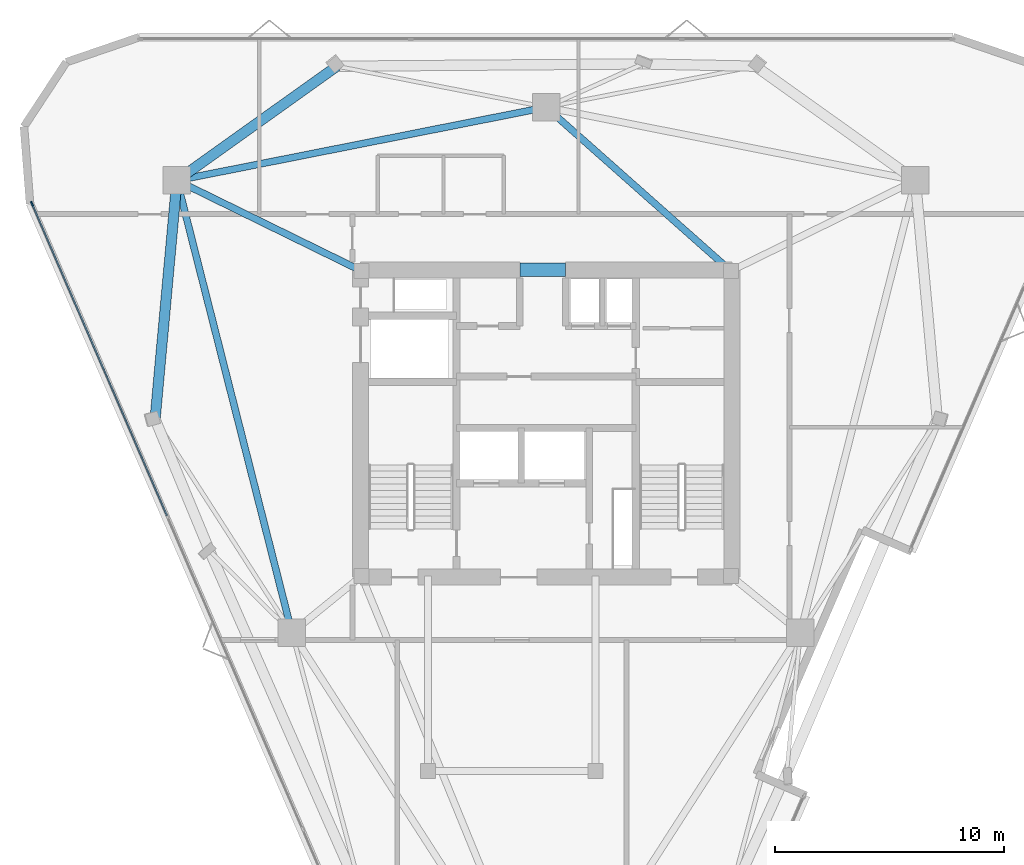
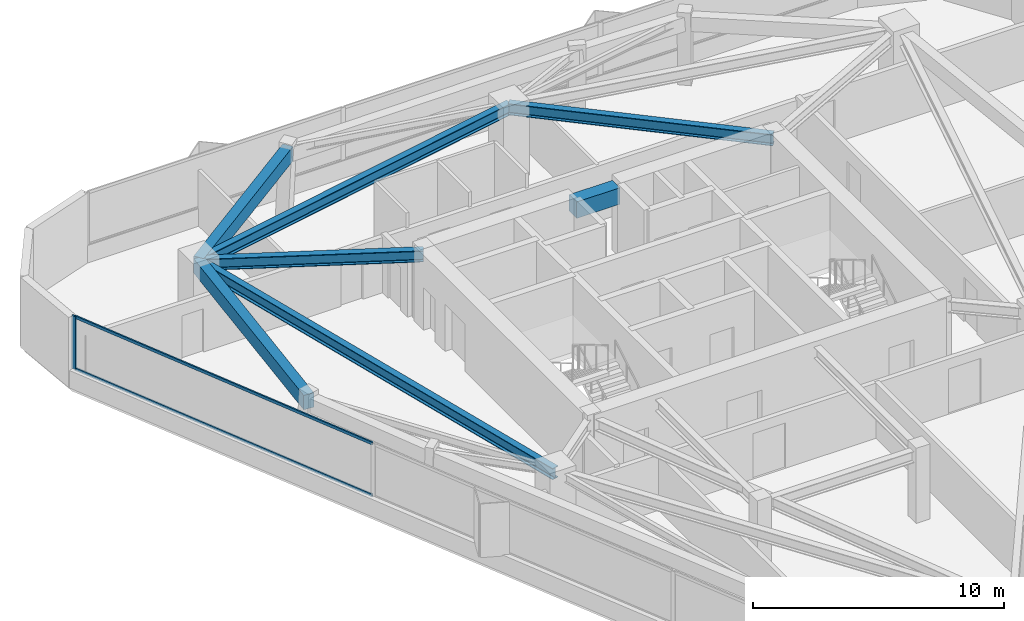
# One storey, part 4 of 10: 7 beams, 3 members, 1 element without a shape of its own.
"""IFC4 building model written with IfcOpenShell, lengths in metres."""

import ifcopenshell
import ifcopenshell.guid

model = None  # the IFC model being written
_history = None  # IfcOwnerHistory: only IFC2X3 demands one
_inside = {}  # id of a spatial element -> (the spatial element, [elements in it])
_under = {}  # id of a project, library or spatial element -> (it, [spatial elements below it])
_declared = {}  # id of a project -> (the project, [libraries it declares])
_typed = {}  # id of a type object -> (the type object, [elements of that type])
_made_of = {}  # id of a material, layer set ... -> (it, [elements and type objects made of it])


def new_model(schema):
    """Start an empty IFC model of exactly this schema.

    Asked for "IFC4X3", IfcOpenShell would pick the latest addendum, in which some entities
    have other attributes; the version numbers below select the first issue.
    IFC2X3 requires an IfcOwnerHistory on every rooted entity: one is made here for all.
    """
    global model, _history
    if schema == "IFC4X3":
        model = ifcopenshell.file(schema_version=(4, 3, 0, 0))
    else:
        model = ifcopenshell.file(schema=schema)
    _inside.clear()
    _under.clear()
    _declared.clear()
    _typed.clear()
    _made_of.clear()
    _history = None
    if model.schema == "IFC2X3":
        org = make("IfcOrganization", Name="unknown")
        user = make(
            "IfcPersonAndOrganization",
            ThePerson=make("IfcPerson", FamilyName="unknown"),
            TheOrganization=org,
        )
        app = make(
            "IfcApplication",
            ApplicationDeveloper=org,
            Version="unknown",
            ApplicationFullName="unknown",
            ApplicationIdentifier="unknown",
        )
        _history = make(
            "IfcOwnerHistory",
            OwningUser=user,
            OwningApplication=app,
            ChangeAction="ADDED",
            CreationDate=0,
        )
    return model


def make(cls, **values):
    """One entity of the class cls with the attributes given. An attribute that is None is left unset."""
    return model.create_entity(
        cls, **{name: value for name, value in values.items() if value is not None}
    )


def rooted(cls, **values):
    """An entity with a GlobalId (a new one), such as an element, a storey or a relation."""
    return make(cls, GlobalId=ifcopenshell.guid.new(), OwnerHistory=_history, **values)


def si_unit(unit_type, name, prefix=None):
    """IfcSIUnit, for example si_unit("LENGTHUNIT", "METRE", prefix="MILLI")."""
    return make("IfcSIUnit", UnitType=unit_type, Prefix=prefix, Name=name)


def assignment(units):
    """IfcUnitAssignment: the units of a project."""
    return None if units is None else make("IfcUnitAssignment", Units=units)


def point(xyz):
    """IfcCartesianPoint."""
    return None if xyz is None else make("IfcCartesianPoint", Coordinates=xyz)


def direction(xyz):
    """IfcDirection."""
    return None if xyz is None else make("IfcDirection", DirectionRatios=xyz)


def frame(location, z_axis=None, x_axis=None):
    """IfcAxis2Placement3D, a coordinate frame: its origin and axes. An axis left out is left unset."""
    return make(
        "IfcAxis2Placement3D",
        Location=point(location),
        Axis=direction(z_axis),
        RefDirection=direction(x_axis),
    )


def frame_2d(location, x_axis=None):
    """IfcAxis2Placement2D, a coordinate frame in the plane: its origin and x axis."""
    return make(
        "IfcAxis2Placement2D", Location=point(location), RefDirection=direction(x_axis)
    )


def origin():
    """The frame at (0, 0, 0) with its axes left unset."""
    return frame((0.0, 0.0, 0.0))


def origin_2d():
    """The frame at (0, 0) in the plane with its x axis left unset."""
    return frame_2d((0.0, 0.0))


def place(relative_to, where):
    """IfcLocalPlacement: puts the frame where relative to a parent placement (None: the world)."""
    return make(
        "IfcLocalPlacement", PlacementRelTo=relative_to, RelativePlacement=where
    )


def context(
    kind, dimensions, precision=None, world=None, true_north=None, identifier=None
):
    """IfcGeometricRepresentationContext, for example the 3D "Model" context."""
    return make(
        "IfcGeometricRepresentationContext",
        ContextIdentifier=identifier,
        ContextType=kind,
        CoordinateSpaceDimension=dimensions,
        Precision=precision,
        WorldCoordinateSystem=world,
        TrueNorth=true_north,
    )


def subcontext(parent, identifier, kind, view, scale=None):
    """IfcGeometricRepresentationSubContext, for example "Body" below "Model"."""
    return make(
        "IfcGeometricRepresentationSubContext",
        ContextIdentifier=identifier,
        ContextType=kind,
        ParentContext=parent,
        TargetScale=scale,
        TargetView=view,
    )


def project(units=None, contexts=None):
    """IfcProject with its units and contexts."""
    return rooted(
        "IfcProject",
        Name="project",
        RepresentationContexts=contexts,
        UnitsInContext=assignment(units),
    )


def spatial(cls, under=None, at=None, **own):
    """A site, building, storey or space (cls), placed at a placement, below another one or the project."""
    s = rooted(cls, ObjectPlacement=at, **own)
    if under is not None:
        _under.setdefault(under.id(), (under, []))[1].append(s)
    return s


def profile(cls, at=None, kind="AREA", **sizes):
    """A parametric profile (cls). Its sizes go by their IFC names, for example OverallWidth=200.0."""
    return make(cls, ProfileType=kind, Position=at, **sizes)


def rectangle(**sizes):
    """IfcRectangleProfileDef."""
    return profile("IfcRectangleProfileDef", **sizes)


def i_section(**sizes):
    """IfcIShapeProfileDef."""
    return profile("IfcIShapeProfileDef", **sizes)


def extrude(swept, where, along, depth):
    """IfcExtrudedAreaSolid: the profile swept, set in the frame where, extruded along a direction by depth."""
    return make(
        "IfcExtrudedAreaSolid",
        SweptArea=swept,
        Position=where,
        ExtrudedDirection=direction(along),
        Depth=depth,
    )


def shape(context_of_items, identifier, shape_type, items):
    """IfcShapeRepresentation: the items that make up one representation, for example the "Body"."""
    return make(
        "IfcShapeRepresentation",
        ContextOfItems=context_of_items,
        RepresentationIdentifier=identifier,
        RepresentationType=shape_type,
        Items=items,
    )


def material(Name=None, Category=None):
    """IfcMaterial."""
    return make("IfcMaterial", Name=Name, Category=Category)


def layer(
    of_material, thickness, ventilated=None, Name=None, Category=None, Priority=None
):
    """IfcMaterialLayer: one layer of a wall or slab, of a material (None: an air gap)."""
    return make(
        "IfcMaterialLayer",
        Material=of_material,
        LayerThickness=thickness,
        IsVentilated=ventilated,
        Name=Name,
        Category=Category,
        Priority=Priority,
    )


def layer_set(layers, Name=None):
    """IfcMaterialLayerSet."""
    return make("IfcMaterialLayerSet", MaterialLayers=layers, LayerSetName=Name)


def material_profile(
    of_material, cross_section, Name=None, Category=None, Priority=None
):
    """IfcMaterialProfile: a cross section and its material."""
    return make(
        "IfcMaterialProfile",
        Name=Name,
        Material=of_material,
        Profile=cross_section,
        Priority=Priority,
        Category=Category,
    )


def profile_set(profiles, Name=None, composite=None):
    """IfcMaterialProfileSet."""
    return make(
        "IfcMaterialProfileSet",
        Name=Name,
        MaterialProfiles=profiles,
        CompositeProfile=composite,
    )


def made_of(thing, what):
    """Note that an element or type object is made of a material, layer set ...; save() writes the relation."""
    if what is not None:
        _made_of.setdefault(what.id(), (what, []))[1].append(thing)
    return thing


def type_object(cls, material=None, **own):
    """A type object (cls), such as IfcWallType, which elements share."""
    return made_of(rooted(cls, **own), material)


def element(
    cls,
    number,
    at=None,
    inside=None,
    cuts=None,
    type_object=None,
    material=None,
    context=None,
    identifier="Body",
    shape_type=None,
    held_by="IfcProductDefinitionShape",
    body=None,
    shapes=None,
    **own,
):
    """One element of the class cls, such as IfcWall. Its Tag is "e" and its number.

    at: its placement. inside: the storey or other place that contains it. cuts: it is an
    opening in that element (IfcRelVoidsElement). A single representation is given by context,
    identifier, shape_type and body (its items); several are given by shapes. held_by: the class
    of the entity that holds the representations. save() writes the other relations.
    """
    e = rooted(cls, Tag="e%d" % number, ObjectPlacement=at, **own)
    if body is not None:
        shapes = [shape(context, identifier, shape_type, body)]
    if shapes is not None:
        e.Representation = make(held_by, Representations=shapes)
    if inside is not None:
        _inside.setdefault(inside.id(), (inside, []))[1].append(e)
    if cuts is not None:
        rooted(
            "IfcRelVoidsElement", RelatingBuildingElement=cuts, RelatedOpeningElement=e
        )
    if type_object is not None:
        _typed.setdefault(type_object.id(), (type_object, []))[1].append(e)
    return made_of(e, material)


def aggregate(whole, parts):
    """IfcRelAggregates: a whole, such as a stair, and the parts it consists of."""
    return rooted("IfcRelAggregates", RelatingObject=whole, RelatedObjects=parts)


def save(model, path):
    """Write the relations noted so far, then the file.

    IfcRelAggregates (storeys below a building ...), IfcRelContainedInSpatialStructure (elements
    in a storey), IfcRelDefinesByType, IfcRelAssociatesMaterial and IfcRelDeclares: one each for
    every whole, place, type object, material and project.
    """
    for whole, parts in _under.values():
        aggregate(whole, parts)
    for where, things in _inside.values():
        rooted(
            "IfcRelContainedInSpatialStructure",
            RelatedElements=things,
            RelatingStructure=where,
        )
    for kind, things in _typed.values():
        rooted("IfcRelDefinesByType", RelatedObjects=things, RelatingType=kind)
    for what, things in _made_of.values():
        rooted("IfcRelAssociatesMaterial", RelatedObjects=things, RelatingMaterial=what)
    for by, libraries in _declared.values():
        rooted("IfcRelDeclares", RelatingContext=by, RelatedDefinitions=libraries)
    model.write(path)


model = new_model("IFC4")

# Units and contexts
model_context = context("Model", 3, precision=1e-05, world=origin(), true_north=direction((0.0, 1.0)))
body_context = subcontext(model_context, "Body", "Model", "MODEL_VIEW")
ifc_project = project(units=[si_unit("LENGTHUNIT", "METRE"), si_unit("AREAUNIT", "SQUARE_METRE"), si_unit("VOLUMEUNIT", "CUBIC_METRE"), si_unit("PLANEANGLEUNIT", "RADIAN"), si_unit("MASSUNIT", "GRAM", prefix="KILO")], contexts=[model_context])

# Site, building, storey
site_placement = place(None, origin())
site = spatial("IfcSite", under=ifc_project, at=site_placement, CompositionType="ELEMENT")
building_placement = place(site_placement, origin())
building = spatial("IfcBuilding", under=site, at=building_placement, Name="Talyreon Biosciences Tower", CompositionType="ELEMENT")
storey_placement = place(building_placement, frame((0.0, 0.0, 260.800048828125)))
storey = spatial("IfcBuildingStorey", under=building, at=storey_placement, Name="L69", CompositionType="ELEMENT", Elevation=260.800048828125)

# Curtain wall, members
ifc_material_1 = material(Name="Thermally broken aluminium and low-E glazing", Category="aluminium")
ifc_layer = layer(ifc_material_1, 0.205078125)
ifc_layer_set = layer_set([ifc_layer], Name="Thermally broken aluminium and low-E glazing")
curtain_wall_type = type_object("IfcCurtainWallType", Name="CurtainWall_SkyGardenLoggia", PredefinedType="NOTDEFINED", material=ifc_layer_set)
curtain_wall_placement = place(storey_placement, origin())
curtain_wall = element("IfcCurtainWall", 1, at=curtain_wall_placement, inside=storey, type_object=curtain_wall_type, Name="L69 Unitised Curtain Wall FCW-L69-15", PredefinedType="NOTDEFINED")
ifc_material_2 = material(Name="Anodised thermally broken aluminium", Category="aluminium")
ifc_material_profile_1 = material_profile(ifc_material_2, rectangle(XDim=0.074951171875, YDim=0.2099609375, at=origin_2d()), Name="ALUM MULLION 75x210")
ifc_profile_set_1 = profile_set([ifc_material_profile_1], Name="Anodised thermally broken aluminium")
member_type_1 = type_object("IfcMemberType", Name="CWMullion_75x210", PredefinedType="MULLION", material=ifc_profile_set_1)
member_1_placement = place(storey_placement, frame((43.57763671875, 77.582763671875, 0.81005859375), z_axis=(0.0, 0.0, 1.0), x_axis=(-0.917723103703, -0.397220725706, 0.0)))
member_1 = element("IfcMember", 2, at=member_1_placement, type_object=member_type_1, Name="CW7 mullion 4", PredefinedType="MULLION", context=body_context, shape_type="SweptSolid", body=[
    extrude(rectangle(XDim=0.074951171875, YDim=0.2099609375, at=origin_2d()), origin(), (0.0, 0.0, 1.0), 2.58984375),
])
ifc_material_profile_2 = material_profile(ifc_material_2, rectangle(XDim=0.06494140625, YDim=0.139892578125, at=origin_2d()), Name="ALUM TRANSOM 65x140")
ifc_profile_set_2 = profile_set([ifc_material_profile_2], Name="Anodised thermally broken aluminium")
member_type_2 = type_object("IfcMemberType", Name="CWTransom_65x140", PredefinedType="USERDEFINED", material=ifc_profile_set_2)
member_2_placement = place(storey_placement, frame((49.460693359375, 63.990966796875, 0.842529296875), z_axis=(-0.397225706417, 0.917720947871, 0.0), x_axis=(-0.917720947871, -0.397225706417, 0.0)))
member_2 = element("IfcMember", 3, at=member_2_placement, type_object=member_type_2, Name="CW7 transom 3.1", ObjectType="TRANSOM", PredefinedType="USERDEFINED", context=body_context, shape_type="SweptSolid", body=[
    extrude(rectangle(XDim=0.06494140625, YDim=0.139892578125, at=origin_2d()), origin(), (0.0, 0.0, 1.0), 14.77294921875),
])
member_3_placement = place(storey_placement, frame((49.460693359375, 63.990966796875, 3.367431640625), z_axis=(-0.397225706417, 0.917720947871, 0.0), x_axis=(-0.917720947871, -0.397225706417, 0.0)))
member_3 = element("IfcMember", 4, at=member_3_placement, type_object=member_type_2, Name="CW7 transom 3.2", ObjectType="TRANSOM", PredefinedType="USERDEFINED", context=body_context, shape_type="SweptSolid", body=[
    extrude(rectangle(XDim=0.06494140625, YDim=0.139892578125, at=origin_2d()), origin(), (0.0, 0.0, 1.0), 14.77294921875),
])
aggregate(curtain_wall, [member_1, member_2, member_3])

# Beams
ifc_material_3 = material(Name="Concrete C50/60", Category="concrete")
ifc_material_profile_3 = material_profile(ifc_material_3, rectangle(XDim=0.60009765625, YDim=0.800048828125, at=origin_2d()), Name="RCB 600x800")
ifc_profile_set_3 = profile_set([ifc_material_profile_3], Name="Concrete C50/60")
beam_type_1 = type_object("IfcBeamType", Name="CoreCouplingLintel_600x800", PredefinedType="LINTEL", material=ifc_profile_set_3)
beam_1_placement = place(storey_placement, frame((64.85009765625, 74.699951171875, 3.0), z_axis=(1.0, 0.0, 0.0), x_axis=(0.0, 1.0, 0.0)))
element("IfcBeam", 5, at=beam_1_placement, inside=storey, type_object=beam_type_1, Name="L69 Core Coupling Lintel", PredefinedType="LINTEL", context=body_context, shape_type="SweptSolid", body=[
    extrude(rectangle(XDim=0.60009765625, YDim=0.800048828125, at=origin_2d()), origin(), (0.0, 0.0, 1.0), 2.0),
])
ifc_material_4 = material(Name="Precast concrete C45/55", Category="concrete")
ifc_material_profile_4 = material_profile(ifc_material_4, rectangle(XDim=0.449951171875, YDim=0.699951171875, at=origin_2d()), Name="RCB 450x700")
ifc_profile_set_4 = profile_set([ifc_material_profile_4], Name="Precast concrete C45/55")
beam_type_2 = type_object("IfcBeamType", Name="ExpressedSpandrel_450x700", PredefinedType="SPANDREL", material=ifc_profile_set_4)
beam_2_placement = place(storey_placement, frame((56.8740234375, 83.57861328125, 3.050048828125), z_axis=(-0.81390471941, -0.580998371532, 0.0), x_axis=(0.580998371532, -0.81390471941, 0.0)))
element("IfcBeam", 6, at=beam_2_placement, inside=storey, type_object=beam_type_2, Name="L69 Expressed Horizontal Concrete Spandrel 08", PredefinedType="SPANDREL", context=body_context, shape_type="SweptSolid", body=[
    extrude(rectangle(XDim=0.449951171875, YDim=0.699951171875, at=origin_2d()), origin(), (0.0, 0.0, 1.0), 8.571533203125),
])
beam_3_placement = place(storey_placement, frame((49.897705078125, 78.5986328125, 3.050048828125), z_axis=(-0.09110835926, -0.995840984733, 0.0), x_axis=(0.995840984733, -0.09110835926, 0.0)))
element("IfcBeam", 7, at=beam_3_placement, inside=storey, type_object=beam_type_2, Name="L69 Expressed Horizontal Concrete Spandrel 09", PredefinedType="SPANDREL", context=body_context, shape_type="SweptSolid", body=[
    extrude(rectangle(XDim=0.449951171875, YDim=0.699951171875, at=origin_2d()), origin(), (0.0, 0.0, 1.0), 10.4560546875),
])
ifc_material_5 = material(Name="Steel SM355", Category="steel")
ifc_material_profile_5 = material_profile(ifc_material_5, i_section(OverallWidth=0.300048828125, OverallDepth=0.550048828125, WebThickness=0.014892578125, FlangeThickness=0.029052734375, FilletRadius=0.027099609375, at=origin_2d()), Name="HE550B")
ifc_profile_set_5 = profile_set([ifc_material_profile_5], Name="Steel SM355")
beam_type_3 = type_object("IfcBeamType", Name="SteelBeam_HE550B", PredefinedType="BEAM", material=ifc_profile_set_5)
beam_4_placement = place(storey_placement, frame((66.0, 81.788818359375, 3.125), z_axis=(-0.980933730698, -0.194342522311, 0.0), x_axis=(0.194342522311, -0.980933730698, 0.0)))
element("IfcBeam", 8, at=beam_4_placement, inside=storey, type_object=beam_type_3, Name="L69 Mega-Ring Girder 4", PredefinedType="BEAM", context=body_context, shape_type="SweptSolid", body=[
    extrude(i_section(OverallWidth=0.300048828125, OverallDepth=0.550048828125, WebThickness=0.014892578125, FlangeThickness=0.029052734375, FilletRadius=0.027099609375, at=origin_2d()), origin(), (0.0, 0.0, 1.0), 16.415283203125),
])
beam_5_placement = place(storey_placement, frame((49.897705078125, 78.5986328125, 3.125), z_axis=(0.246537082299, -0.969133358755, 0.0), x_axis=(0.969133358755, 0.246537082299, 0.0)))
element("IfcBeam", 9, at=beam_5_placement, inside=storey, type_object=beam_type_3, Name="L69 Mega-Ring Girder 5", PredefinedType="BEAM", context=body_context, shape_type="SweptSolid", body=[
    extrude(i_section(OverallWidth=0.300048828125, OverallDepth=0.550048828125, WebThickness=0.014892578125, FlangeThickness=0.029052734375, FilletRadius=0.027099609375, at=origin_2d()), origin(), (0.0, 0.0, 1.0), 20.34619140625),
])
beam_6_placement = place(storey_placement, frame((74.050048828125, 74.64990234375, 3.125), z_axis=(-0.748178733955, 0.663497235908, 0.0), x_axis=(-0.663497235908, -0.748178733955, 0.0)))
element("IfcBeam", 10, at=beam_6_placement, inside=storey, type_object=beam_type_3, Name="L69 Radial Primary Girder 4", PredefinedType="BEAM", context=body_context, shape_type="SweptSolid", body=[
    extrude(i_section(OverallWidth=0.300048828125, OverallDepth=0.550048828125, WebThickness=0.014892578125, FlangeThickness=0.029052734375, FilletRadius=0.027099609375, at=origin_2d()), origin(), (0.0, 0.0, 1.0), 10.759521484375),
])
beam_7_placement = place(storey_placement, frame((57.949951171875, 74.64990234375, 3.125), z_axis=(-0.897852360314, 0.440296648952, 0.0), x_axis=(-0.440296648952, -0.897852360314, 0.0)))
element("IfcBeam", 11, at=beam_7_placement, inside=storey, type_object=beam_type_3, Name="L69 Radial Primary Girder 5", PredefinedType="BEAM", context=body_context, shape_type="SweptSolid", body=[
    extrude(i_section(OverallWidth=0.300048828125, OverallDepth=0.550048828125, WebThickness=0.014892578125, FlangeThickness=0.029052734375, FilletRadius=0.027099609375, at=origin_2d()), origin(), (0.0, 0.0, 1.0), 8.96826171875),
])

save(model, "model.ifc")
